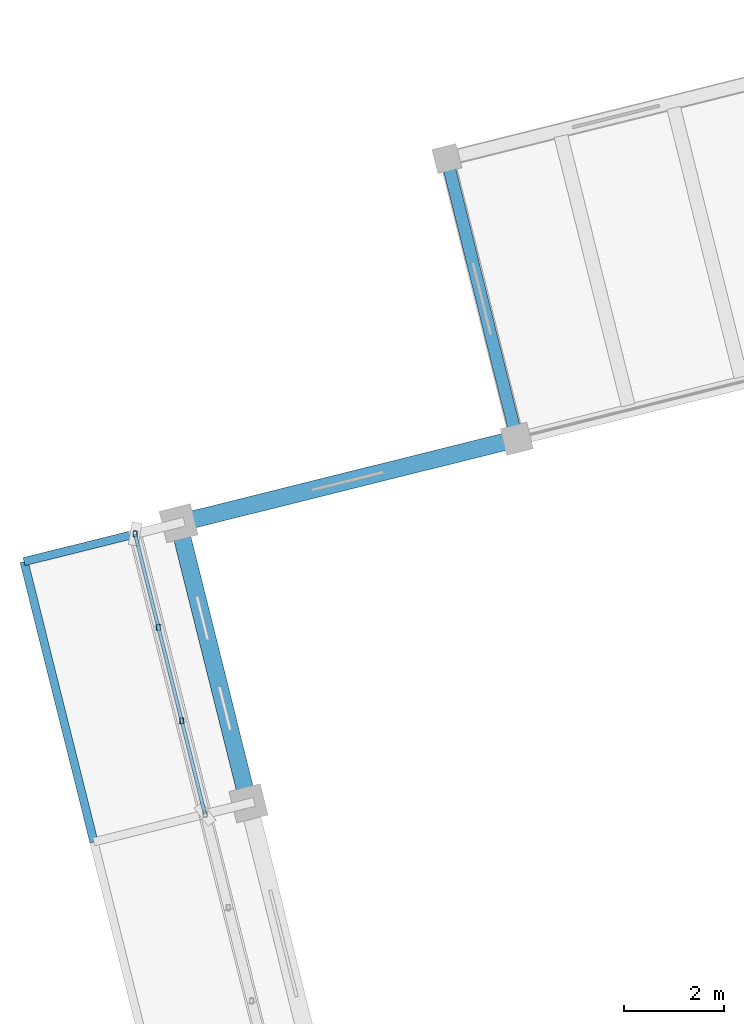
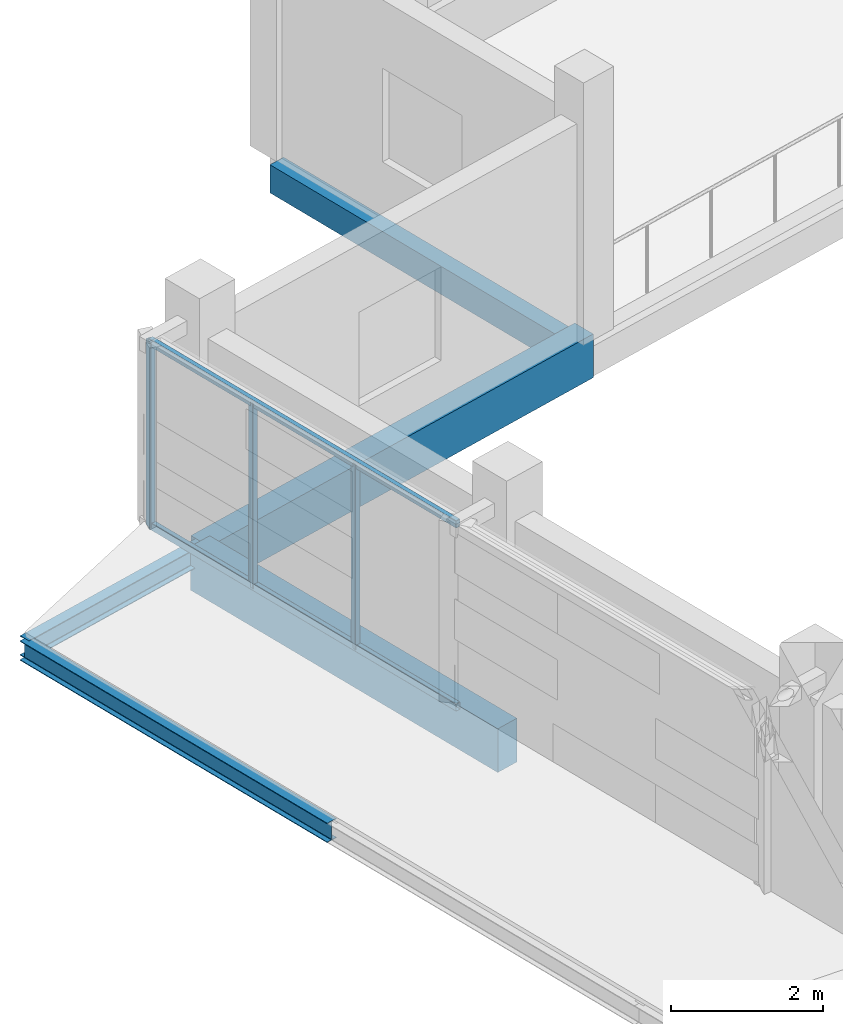
# One storey, part 17 of 137: 5 beams, 5 members.
"""IFC4 building model written with IfcOpenShell, lengths in metres."""

import ifcopenshell
import ifcopenshell.guid

model = None  # the IFC model being written
_history = None  # IfcOwnerHistory: only IFC2X3 demands one
_inside = {}  # id of a spatial element -> (the spatial element, [elements in it])
_under = {}  # id of a project, library or spatial element -> (it, [spatial elements below it])
_declared = {}  # id of a project -> (the project, [libraries it declares])
_typed = {}  # id of a type object -> (the type object, [elements of that type])
_made_of = {}  # id of a material, layer set ... -> (it, [elements and type objects made of it])


def new_model(schema):
    """Start an empty IFC model of exactly this schema.

    Asked for "IFC4X3", IfcOpenShell would pick the latest addendum, in which some entities
    have other attributes; the version numbers below select the first issue.
    IFC2X3 requires an IfcOwnerHistory on every rooted entity: one is made here for all.
    """
    global model, _history
    if schema == "IFC4X3":
        model = ifcopenshell.file(schema_version=(4, 3, 0, 0))
    else:
        model = ifcopenshell.file(schema=schema)
    _inside.clear()
    _under.clear()
    _declared.clear()
    _typed.clear()
    _made_of.clear()
    _history = None
    if model.schema == "IFC2X3":
        org = make("IfcOrganization", Name="unknown")
        user = make(
            "IfcPersonAndOrganization",
            ThePerson=make("IfcPerson", FamilyName="unknown"),
            TheOrganization=org,
        )
        app = make(
            "IfcApplication",
            ApplicationDeveloper=org,
            Version="unknown",
            ApplicationFullName="unknown",
            ApplicationIdentifier="unknown",
        )
        _history = make(
            "IfcOwnerHistory",
            OwningUser=user,
            OwningApplication=app,
            ChangeAction="ADDED",
            CreationDate=0,
        )
    return model


def make(cls, **values):
    """One entity of the class cls with the attributes given. An attribute that is None is left unset."""
    return model.create_entity(
        cls, **{name: value for name, value in values.items() if value is not None}
    )


def rooted(cls, **values):
    """An entity with a GlobalId (a new one), such as an element, a storey or a relation."""
    return make(cls, GlobalId=ifcopenshell.guid.new(), OwnerHistory=_history, **values)


def si_unit(unit_type, name, prefix=None):
    """IfcSIUnit, for example si_unit("LENGTHUNIT", "METRE", prefix="MILLI")."""
    return make("IfcSIUnit", UnitType=unit_type, Prefix=prefix, Name=name)


def assignment(units):
    """IfcUnitAssignment: the units of a project."""
    return None if units is None else make("IfcUnitAssignment", Units=units)


def point(xyz):
    """IfcCartesianPoint."""
    return None if xyz is None else make("IfcCartesianPoint", Coordinates=xyz)


def direction(xyz):
    """IfcDirection."""
    return None if xyz is None else make("IfcDirection", DirectionRatios=xyz)


def frame(location, z_axis=None, x_axis=None):
    """IfcAxis2Placement3D, a coordinate frame: its origin and axes. An axis left out is left unset."""
    return make(
        "IfcAxis2Placement3D",
        Location=point(location),
        Axis=direction(z_axis),
        RefDirection=direction(x_axis),
    )


def frame_2d(location, x_axis=None):
    """IfcAxis2Placement2D, a coordinate frame in the plane: its origin and x axis."""
    return make(
        "IfcAxis2Placement2D", Location=point(location), RefDirection=direction(x_axis)
    )


def origin():
    """The frame at (0, 0, 0) with its axes left unset."""
    return frame((0.0, 0.0, 0.0))


def origin_2d():
    """The frame at (0, 0) in the plane with its x axis left unset."""
    return frame_2d((0.0, 0.0))


def place(relative_to, where):
    """IfcLocalPlacement: puts the frame where relative to a parent placement (None: the world)."""
    return make(
        "IfcLocalPlacement", PlacementRelTo=relative_to, RelativePlacement=where
    )


def context(
    kind, dimensions, precision=None, world=None, true_north=None, identifier=None
):
    """IfcGeometricRepresentationContext, for example the 3D "Model" context."""
    return make(
        "IfcGeometricRepresentationContext",
        ContextIdentifier=identifier,
        ContextType=kind,
        CoordinateSpaceDimension=dimensions,
        Precision=precision,
        WorldCoordinateSystem=world,
        TrueNorth=true_north,
    )


def subcontext(parent, identifier, kind, view, scale=None):
    """IfcGeometricRepresentationSubContext, for example "Body" below "Model"."""
    return make(
        "IfcGeometricRepresentationSubContext",
        ContextIdentifier=identifier,
        ContextType=kind,
        ParentContext=parent,
        TargetScale=scale,
        TargetView=view,
    )


def project(units=None, contexts=None):
    """IfcProject with its units and contexts."""
    return rooted(
        "IfcProject",
        Name="project",
        RepresentationContexts=contexts,
        UnitsInContext=assignment(units),
    )


def spatial(cls, under=None, at=None, **own):
    """A site, building, storey or space (cls), placed at a placement, below another one or the project."""
    s = rooted(cls, ObjectPlacement=at, **own)
    if under is not None:
        _under.setdefault(under.id(), (under, []))[1].append(s)
    return s


def profile(cls, at=None, kind="AREA", **sizes):
    """A parametric profile (cls). Its sizes go by their IFC names, for example OverallWidth=200.0."""
    return make(cls, ProfileType=kind, Position=at, **sizes)


def rectangle(**sizes):
    """IfcRectangleProfileDef."""
    return profile("IfcRectangleProfileDef", **sizes)


def hollow_rectangle(**sizes):
    """IfcRectangleHollowProfileDef."""
    return profile("IfcRectangleHollowProfileDef", **sizes)


def i_section(**sizes):
    """IfcIShapeProfileDef."""
    return profile("IfcIShapeProfileDef", **sizes)


def extrude(swept, where, along, depth):
    """IfcExtrudedAreaSolid: the profile swept, set in the frame where, extruded along a direction by depth."""
    return make(
        "IfcExtrudedAreaSolid",
        SweptArea=swept,
        Position=where,
        ExtrudedDirection=direction(along),
        Depth=depth,
    )


def shape(context_of_items, identifier, shape_type, items):
    """IfcShapeRepresentation: the items that make up one representation, for example the "Body"."""
    return make(
        "IfcShapeRepresentation",
        ContextOfItems=context_of_items,
        RepresentationIdentifier=identifier,
        RepresentationType=shape_type,
        Items=items,
    )


def material(Name=None, Category=None):
    """IfcMaterial."""
    return make("IfcMaterial", Name=Name, Category=Category)


def material_profile(
    of_material, cross_section, Name=None, Category=None, Priority=None
):
    """IfcMaterialProfile: a cross section and its material."""
    return make(
        "IfcMaterialProfile",
        Name=Name,
        Material=of_material,
        Profile=cross_section,
        Priority=Priority,
        Category=Category,
    )


def profile_set(profiles, Name=None, composite=None):
    """IfcMaterialProfileSet."""
    return make(
        "IfcMaterialProfileSet",
        Name=Name,
        MaterialProfiles=profiles,
        CompositeProfile=composite,
    )


def made_of(thing, what):
    """Note that an element or type object is made of a material, layer set ...; save() writes the relation."""
    if what is not None:
        _made_of.setdefault(what.id(), (what, []))[1].append(thing)
    return thing


def type_object(cls, material=None, **own):
    """A type object (cls), such as IfcWallType, which elements share."""
    return made_of(rooted(cls, **own), material)


def element(
    cls,
    number,
    at=None,
    inside=None,
    cuts=None,
    type_object=None,
    material=None,
    context=None,
    identifier="Body",
    shape_type=None,
    held_by="IfcProductDefinitionShape",
    body=None,
    shapes=None,
    **own,
):
    """One element of the class cls, such as IfcWall. Its Tag is "e" and its number.

    at: its placement. inside: the storey or other place that contains it. cuts: it is an
    opening in that element (IfcRelVoidsElement). A single representation is given by context,
    identifier, shape_type and body (its items); several are given by shapes. held_by: the class
    of the entity that holds the representations. save() writes the other relations.
    """
    e = rooted(cls, Tag="e%d" % number, ObjectPlacement=at, **own)
    if body is not None:
        shapes = [shape(context, identifier, shape_type, body)]
    if shapes is not None:
        e.Representation = make(held_by, Representations=shapes)
    if inside is not None:
        _inside.setdefault(inside.id(), (inside, []))[1].append(e)
    if cuts is not None:
        rooted(
            "IfcRelVoidsElement", RelatingBuildingElement=cuts, RelatedOpeningElement=e
        )
    if type_object is not None:
        _typed.setdefault(type_object.id(), (type_object, []))[1].append(e)
    return made_of(e, material)


def aggregate(whole, parts):
    """IfcRelAggregates: a whole, such as a stair, and the parts it consists of."""
    return rooted("IfcRelAggregates", RelatingObject=whole, RelatedObjects=parts)


def save(model, path):
    """Write the relations noted so far, then the file.

    IfcRelAggregates (storeys below a building ...), IfcRelContainedInSpatialStructure (elements
    in a storey), IfcRelDefinesByType, IfcRelAssociatesMaterial and IfcRelDeclares: one each for
    every whole, place, type object, material and project.
    """
    for whole, parts in _under.values():
        aggregate(whole, parts)
    for where, things in _inside.values():
        rooted(
            "IfcRelContainedInSpatialStructure",
            RelatedElements=things,
            RelatingStructure=where,
        )
    for kind, things in _typed.values():
        rooted("IfcRelDefinesByType", RelatedObjects=things, RelatingType=kind)
    for what, things in _made_of.values():
        rooted("IfcRelAssociatesMaterial", RelatedObjects=things, RelatingMaterial=what)
    for by, libraries in _declared.values():
        rooted("IfcRelDeclares", RelatingContext=by, RelatedDefinitions=libraries)
    model.write(path)


model = new_model("IFC4")

# Units and contexts
model_context = context("Model", 3, precision=1e-05, world=origin(), true_north=direction((0.0, 1.0)))
body_context = subcontext(model_context, "Body", "Model", "MODEL_VIEW")
ifc_project = project(units=[si_unit("LENGTHUNIT", "METRE"), si_unit("AREAUNIT", "SQUARE_METRE"), si_unit("VOLUMEUNIT", "CUBIC_METRE"), si_unit("PLANEANGLEUNIT", "RADIAN"), si_unit("MASSUNIT", "GRAM", prefix="KILO")], contexts=[model_context])

# Site, building, storey
site_placement = place(None, origin())
site = spatial("IfcSite", under=ifc_project, at=site_placement, CompositionType="ELEMENT")
building_placement = place(site_placement, origin())
building = spatial("IfcBuilding", under=site, at=building_placement, Name="Cinderway Yard Community Centre", CompositionType="ELEMENT")
storey_placement = place(building_placement, frame((0.0, 0.0, 4.800048828125)))
storey = spatial("IfcBuildingStorey", under=building, at=storey_placement, Name="L01", CompositionType="ELEMENT", Elevation=4.800048828125)

# Members
ifc_material_1 = material(Name="Steel S355", Category="steel")
ifc_material_profile_1 = material_profile(ifc_material_1, hollow_rectangle(XDim=0.080078125, YDim=0.1201171875, WallThickness=0.00634765625, InnerFilletRadius=0.00634765625, OuterFilletRadius=0.0126953125, at=origin_2d()), Name="Steel S355")
ifc_profile_set_1 = profile_set([ifc_material_profile_1], Name="Steel S355")
member_type = type_object("IfcMemberType", Name="ENV-MEM-SCREEN-RAIL-120", PredefinedType="STRINGER", material=ifc_profile_set_1)
for number, where, z_axis, x_axis, name in (
    (1, (10.51806640625, 58.6650390625, 0.7099609375), (-0.242060225261, 0.970261226344, 0.0), (-0.970261226344, -0.242060225261, 0.0), "Screen support rail 0777-BOT"),
    (2, (10.51806640625, 58.6650390625, 3.639892578125), (-0.242060225261, 0.970261226344, 0.0), (-0.970261226344, -0.242060225261, 0.0), "Screen support rail 0778-TOP"),
):
    element("IfcMember", number, at=place(storey_placement, frame(where, z_axis=z_axis, x_axis=x_axis)), inside=storey, type_object=member_type, Name=name, PredefinedType="STRINGER", context=body_context, shape_type="SweptSolid", body=[
        extrude(hollow_rectangle(XDim=0.080078125, YDim=0.1201171875, WallThickness=0.00634765625, InnerFilletRadius=0.00634765625, OuterFilletRadius=0.0126953125, at=origin_2d()), origin(), (0.0, 0.0, 1.0), 5.800537109375),
    ])
for number, where, z_axis, x_axis, name in (
    (3, (10.050048828125, 60.541015625, 0.68994140625), (0.0, 0.0, 1.0), (1.0, 0.0, 0.0), "Screen vertical mullion 0779"),
    (4, (9.58203125, 62.4169921875, 0.68994140625), (0.0, 0.0, 1.0), (1.0, 0.0, 0.0), "Screen vertical mullion 0780"),
    (5, (9.114013671875, 64.29296875, 0.68994140625), (0.0, 0.0, 1.0), (1.0, 0.0, 0.0), "Screen vertical mullion 0781"),
):
    element("IfcMember", number, at=place(storey_placement, frame(where, z_axis=z_axis, x_axis=x_axis)), inside=storey, type_object=member_type, Name=name, PredefinedType="STRINGER", context=body_context, shape_type="SweptSolid", body=[
        extrude(hollow_rectangle(XDim=0.080078125, YDim=0.1201171875, WallThickness=0.00634765625, InnerFilletRadius=0.00634765625, OuterFilletRadius=0.0126953125, at=origin_2d()), origin(), (0.0, 0.0, 1.0), 2.969970703125),
    ])

# Beams
ifc_material_2 = material(Name="Concrete C40/50", Category="concrete")
ifc_material_profile_2 = material_profile(ifc_material_2, rectangle(XDim=0.25, YDim=0.449951171875, at=origin_2d()), Name="Concrete C40/50")
ifc_profile_set_2 = profile_set([ifc_material_profile_2], Name="Concrete C40/50")
beam_type_1 = type_object("IfcBeamType", Name="STR-BM-RC250X450", PredefinedType="SPANDREL", material=ifc_profile_set_2)
beam_1_placement = place(storey_placement, frame((16.779052734375, 66.2041015625, -0.465087890625), z_axis=(-0.2419017199, 0.97030075642, 0.0), x_axis=(-0.97030075642, -0.2419017199, 0.0)))
element("IfcBeam", 6, at=beam_1_placement, inside=storey, type_object=beam_type_1, Name="Transverse girder STR-BM-L01-SP02-0052", PredefinedType="SPANDREL", context=body_context, shape_type="SweptSolid", body=[
    extrude(rectangle(XDim=0.25, YDim=0.449951171875, at=origin_2d()), origin(), (0.0, 0.0, 1.0), 5.80029296875),
])
ifc_material_3 = material(Name="Concrete C35/45", Category="concrete")
ifc_material_profile_3 = material_profile(ifc_material_3, rectangle(XDim=0.35009765625, YDim=0.699951171875, at=origin_2d()), Name="Concrete C35/45")
ifc_profile_set_3 = profile_set([ifc_material_profile_3], Name="Concrete C35/45")
beam_type_2 = type_object("IfcBeamType", Name="STR-BM-RC350X700", PredefinedType="BEAM", material=ifc_profile_set_3)
beam_2_placement = place(storey_placement, frame((11.39111328125, 58.883056640625, -0.35009765625), z_axis=(-0.242060225261, 0.970261226344, 0.0), x_axis=(-0.970261226344, -0.242060225261, 0.0)))
element("IfcBeam", 7, at=beam_2_placement, inside=storey, type_object=beam_type_2, Name="Main Hall west ring beam STR-BM-L01-BG07-0069", PredefinedType="BEAM", context=body_context, shape_type="SweptSolid", body=[
    extrude(rectangle(XDim=0.35009765625, YDim=0.699951171875, at=origin_2d()), origin(), (0.0, 0.0, 1.0), 5.800537109375),
])
beam_3_placement = place(storey_placement, frame((9.987060546875, 64.510986328125, -0.35009765625), z_axis=(0.970306409839, 0.241879042136, 0.0), x_axis=(-0.241879042136, 0.970306409839, 0.0)))
element("IfcBeam", 8, at=beam_3_placement, inside=storey, type_object=beam_type_2, Name="Main Hall return ring beam STR-BM-L01-BG07-0108", PredefinedType="BEAM", context=body_context, shape_type="SweptSolid", body=[
    extrude(rectangle(XDim=0.35009765625, YDim=0.699951171875, at=origin_2d()), origin(), (0.0, 0.0, 1.0), 6.999755859375),
])
ifc_material_profile_4 = material_profile(ifc_material_1, i_section(OverallWidth=0.166015625, OverallDepth=0.31298828125, WebThickness=0.006591796875, FlangeThickness=0.01123046875, FilletRadius=0.010009765625, at=origin_2d()), Name="Steel S355")
ifc_profile_set_4 = profile_set([ifc_material_profile_4], Name="Steel S355")
beam_type_3 = type_object("IfcBeamType", Name="STR-BM-W310X45", PredefinedType="SPANDREL", material=ifc_profile_set_4)
beam_4_placement = place(storey_placement, frame((6.882080078125, 63.737060546875, -0.156982421875), z_axis=(0.970312800845, 0.241853402947, 0.0), x_axis=(-0.241853402947, 0.970312800845, 0.0)))
element("IfcBeam", 9, at=beam_4_placement, inside=storey, type_object=beam_type_3, Name="Forecourt loggia tie STR-BM-L01-SS01-1158", PredefinedType="SPANDREL", context=body_context, shape_type="SweptSolid", body=[
    extrude(i_section(OverallWidth=0.166015625, OverallDepth=0.31298828125, WebThickness=0.006591796875, FlangeThickness=0.01123046875, FilletRadius=0.010009765625, at=origin_2d()), origin(), (0.0, 0.0, 1.0), 3.199951171875),
])
beam_5_placement = place(storey_placement, frame((8.285888671875, 58.10888671875, -0.156982421875), z_axis=(-0.242010717192, 0.970273576248, 0.0), x_axis=(-0.970273576248, -0.242010717192, 0.0)))
element("IfcBeam", 10, at=beam_5_placement, inside=storey, type_object=beam_type_3, Name="Forecourt loggia eave beam STR-BM-L01-SS01-1161", PredefinedType="SPANDREL", context=body_context, shape_type="SweptSolid", body=[
    extrude(i_section(OverallWidth=0.166015625, OverallDepth=0.31298828125, WebThickness=0.006591796875, FlangeThickness=0.01123046875, FilletRadius=0.010009765625, at=origin_2d()), origin(), (0.0, 0.0, 1.0), 5.800537109375),
])

save(model, "model.ifc")
